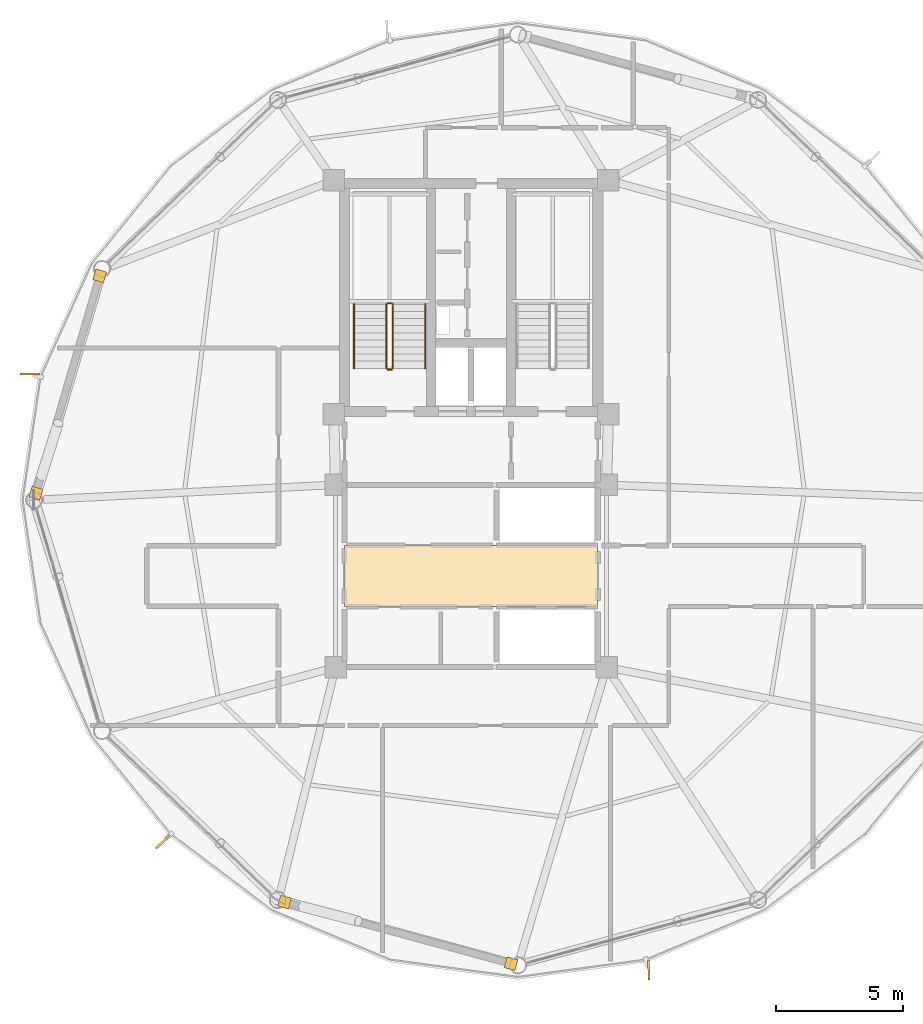
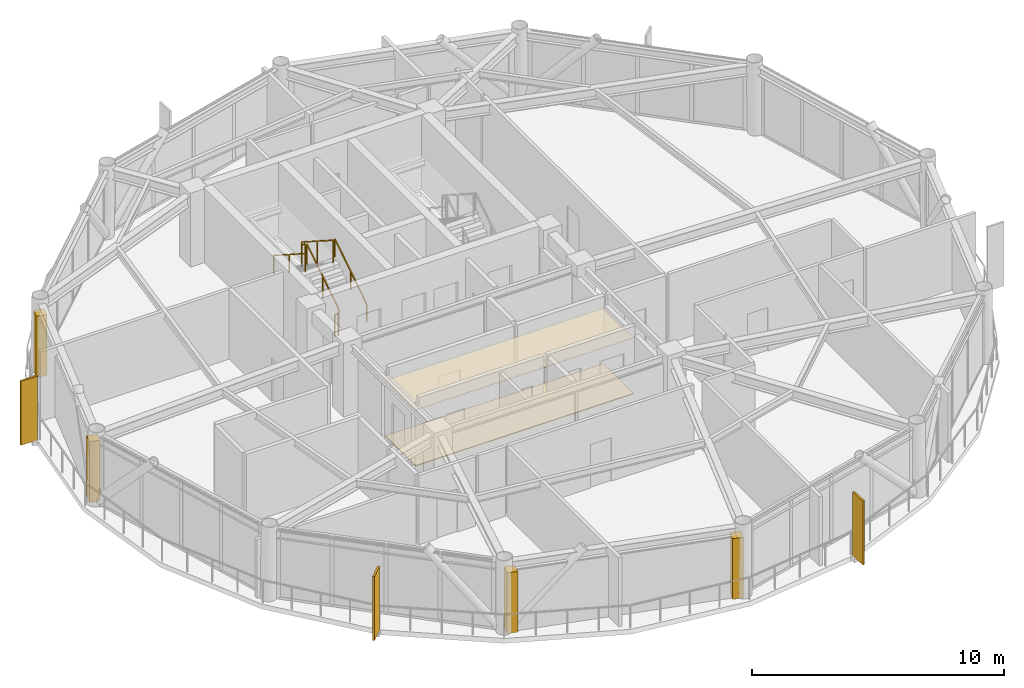
# One storey, part 26 of 28: 6 coverings, 6 railings, 3 shading devices.
"""IFC4 building model written with IfcOpenShell, lengths in metres."""

from ifc_helpers import new_model, si_unit, direction, frame, origin, origin_2d, place, context, subcontext, project, spatial, polyline, rectangle, outline, extrude, source, transform, mapped, material, layer, layer_set, type_object, type_shapes, element, save


model = new_model("IFC4")

# Units and contexts
model_context = context("Model", 3, precision=1e-05, world=origin(), true_north=direction((0.0, 1.0)))
body_context = subcontext(model_context, "Body", "Model", "MODEL_VIEW")
ifc_project = project(units=[si_unit("LENGTHUNIT", "METRE"), si_unit("AREAUNIT", "SQUARE_METRE"), si_unit("VOLUMEUNIT", "CUBIC_METRE"), si_unit("PLANEANGLEUNIT", "RADIAN"), si_unit("MASSUNIT", "GRAM", prefix="KILO")], contexts=[model_context])

# Site, building, storey
site_placement = place(None, origin())
site = spatial("IfcSite", under=ifc_project, at=site_placement, CompositionType="ELEMENT")
building_placement = place(site_placement, origin())
building = spatial("IfcBuilding", under=site, at=building_placement, Name="Varnakorn Sky Granary", CompositionType="ELEMENT")
storey_placement = place(building_placement, frame((0.0, 0.0, 214.800048828125)))
storey = spatial("IfcBuildingStorey", under=building, at=storey_placement, Name="L54", CompositionType="ELEMENT", Elevation=214.800048828125)

# Coverings
ifc_material_1 = material(Name="Perforated Acoustic Mineral-Fibre Ceiling", Category="gypsum")
ifc_layer_1 = layer(ifc_material_1, 0.02001953125, Name="Perforated Acoustic Mineral-Fibre Ceiling")
ifc_layer_set_1 = layer_set([ifc_layer_1], Name="Perforated Acoustic Mineral-Fibre Ceiling")
covering_type_1 = type_object("IfcCoveringType", Name="CV-CEIL-20", PredefinedType="CEILING", material=ifc_layer_set_1)
covering_1_placement = place(storey_placement, frame((0.0, 0.0, 2.7099609375)))
element("IfcCovering", 1, at=covering_1_placement, inside=storey, type_object=covering_type_1, Name="Lift Lobby Perforated Acoustic Ceiling L54", PredefinedType="CEILING", context=body_context, shape_type="SweptSolid", body=[
    extrude(outline(polyline([(-2.0, -4.199951171875), (8.0, -4.199951171875), (8.0, -1.800048828125), (-2.0, -1.800048828125), (-2.0, -4.199951171875)])), origin(), (0.0, 0.0, 1.0), 0.02001953125),
])
ifc_material_2 = material(Name="Honed Epoxy Terrazzo Topping", Category="concrete")
ifc_layer_2 = layer(ifc_material_2, 0.030029296875, Name="Honed Epoxy Terrazzo Topping")
ifc_layer_set_2 = layer_set([ifc_layer_2], Name="Honed Epoxy Terrazzo Topping")
covering_type_2 = type_object("IfcCoveringType", Name="CV-FLOR-30", PredefinedType="FLOORING", material=ifc_layer_set_2)
covering_2_placement = place(storey_placement, origin())
element("IfcCovering", 2, at=covering_2_placement, inside=storey, type_object=covering_type_2, Name="Lift Lobby Terrazzo Floor Finish L54", PredefinedType="FLOORING", context=body_context, shape_type="SweptSolid", body=[
    extrude(outline(polyline([(-2.0, -4.199951171875), (8.0, -4.199951171875), (8.0, -1.800048828125), (-2.0, -1.800048828125), (-2.0, -4.199951171875)])), origin(), (0.0, 0.0, 1.0), 0.030029296875),
])

# Railings
ifc_material_3 = material(Name="Brushed Stainless Steel 316", Category="steel")
railing_type_1 = type_object("IfcRailingType", Name="RL-STAIR-1100", PredefinedType="GUARDRAIL", material=ifc_material_3)
railing_1_placement = place(storey_placement, frame((-0.090087890625, 5.199951171875, 0.179931640625)))
element("IfcRailing", 3, at=railing_1_placement, inside=storey, type_object=railing_type_1, Name="L54 ST-1 stair guard 1", PredefinedType="GUARDRAIL", context=body_context, shape_type="SweptSolid", body=[
    extrude(rectangle(XDim=0.048095703125, YDim=0.048095703125, at=origin_2d()), frame((0.0, 0.0, 1.076171875), z_axis=(0.0, 0.841162588446, 0.540782303519), x_axis=(-1.0, 0.0, 0.0)), (0.0, 0.0, 1.0), 2.995849609375),
    extrude(rectangle(XDim=0.0419921875, YDim=0.0419921875, at=origin_2d()), origin(), (0.0, 0.0, 1.0), 1.048095703125),
    extrude(rectangle(XDim=0.0419921875, YDim=0.0419921875, at=origin_2d()), frame((0.0, 1.260009765625, 0.81005859375)), (0.0, 0.0, 1.0), 1.048095703125),
    extrude(rectangle(XDim=0.0419921875, YDim=0.0419921875, at=origin_2d()), frame((0.0, 2.52001953125, 1.6201171875)), (0.0, 0.0, 1.0), 1.048095703125),
])
railing_2_placement = place(storey_placement, frame((-0.139892578125, 7.77001953125, 1.800048828125)))
element("IfcRailing", 4, at=railing_2_placement, inside=storey, type_object=railing_type_1, Name="L54 ST-1 stair guard 2", PredefinedType="GUARDRAIL", context=body_context, shape_type="SweptSolid", body=[
    extrude(rectangle(XDim=0.048095703125, YDim=0.048095703125, at=origin_2d()), frame((0.0, 0.0, 1.076171875), z_axis=(-1.0, 0.0, 0.0), x_axis=(0.0, -1.0, 0.0)), (0.0, 0.0, 1.0), 0.150146484375),
    extrude(rectangle(XDim=0.0419921875, YDim=0.0419921875, at=origin_2d()), origin(), (0.0, 0.0, 1.0), 1.048095703125),
    extrude(rectangle(XDim=0.0419921875, YDim=0.0419921875, at=origin_2d()), frame((-0.150146484375, 0.0, 0.0)), (0.0, 0.0, 1.0), 1.048095703125),
])
railing_3_placement = place(storey_placement, frame((-0.340087890625, 7.719970703125, 1.97998046875)))
element("IfcRailing", 5, at=railing_3_placement, inside=storey, type_object=railing_type_1, Name="L54 ST-1 stair guard 3", PredefinedType="GUARDRAIL", context=body_context, shape_type="SweptSolid", body=[
    extrude(rectangle(XDim=0.048095703125, YDim=0.048095703125, at=origin_2d()), frame((0.0, 0.0, 1.076171875), z_axis=(0.0, -0.841199657755, 0.540724639528), x_axis=(1.0, 0.0, 0.0)), (0.0, 0.0, 1.0), 2.995849609375),
    extrude(rectangle(XDim=0.0419921875, YDim=0.0419921875, at=origin_2d()), origin(), (0.0, 0.0, 1.0), 1.048095703125),
    extrude(rectangle(XDim=0.0419921875, YDim=0.0419921875, at=origin_2d()), frame((0.0, -1.260009765625, 0.81005859375)), (0.0, 0.0, 1.0), 1.048095703125),
    extrude(rectangle(XDim=0.0419921875, YDim=0.0419921875, at=origin_2d()), frame((0.0, -2.52001953125, 1.619873046875)), (0.0, 0.0, 1.0), 1.048095703125),
])
railing_4_placement = place(storey_placement, frame((-0.139892578125, 5.14990234375, 0.0)))
element("IfcRailing", 6, at=railing_4_placement, inside=storey, type_object=railing_type_1, Name="L54 ST-1 stair guard 4", PredefinedType="GUARDRAIL", context=body_context, shape_type="SweptSolid", body=[
    extrude(rectangle(XDim=0.048095703125, YDim=0.048095703125, at=origin_2d()), frame((0.0, 0.0, 1.076171875), z_axis=(-1.0, 0.0, 0.0), x_axis=(0.0, -1.0, 0.0)), (0.0, 0.0, 1.0), 0.150146484375),
    extrude(rectangle(XDim=0.0419921875, YDim=0.0419921875, at=origin_2d()), origin(), (0.0, 0.0, 1.0), 1.048095703125),
    extrude(rectangle(XDim=0.0419921875, YDim=0.0419921875, at=origin_2d()), frame((-0.150146484375, 0.0, 0.0)), (0.0, 0.0, 1.0), 1.048095703125),
])
railing_type_2 = type_object("IfcRailingType", Name="RL-STAIR-920", PredefinedType="HANDRAIL", material=ifc_material_3)
railing_5_placement = place(storey_placement, frame((1.18994140625, 5.199951171875, 0.179931640625)))
element("IfcRailing", 7, at=railing_5_placement, inside=storey, type_object=railing_type_2, Name="L54 ST-1 stair handrail 1", PredefinedType="HANDRAIL", context=body_context, shape_type="SweptSolid", body=[
    extrude(rectangle(XDim=0.048095703125, YDim=0.048095703125, at=origin_2d()), frame((0.0, 0.0, 0.8759765625), z_axis=(0.0, 0.841162588446, 0.540782303519), x_axis=(-1.0, 0.0, 0.0)), (0.0, 0.0, 1.0), 2.995849609375),
    extrude(rectangle(XDim=0.0419921875, YDim=0.0419921875, at=origin_2d()), origin(), (0.0, 0.0, 1.0), 0.847900390625),
    extrude(rectangle(XDim=0.0419921875, YDim=0.0419921875, at=origin_2d()), frame((0.0, 1.260009765625, 0.81005859375)), (0.0, 0.0, 1.0), 0.847900390625),
    extrude(rectangle(XDim=0.0419921875, YDim=0.0419921875, at=origin_2d()), frame((0.0, 2.52001953125, 1.6201171875)), (0.0, 0.0, 1.0), 0.847900390625),
])
railing_6_placement = place(storey_placement, frame((-1.6201171875, 7.719970703125, 1.97998046875)))
element("IfcRailing", 8, at=railing_6_placement, inside=storey, type_object=railing_type_2, Name="L54 ST-1 stair handrail 2", PredefinedType="HANDRAIL", context=body_context, shape_type="SweptSolid", body=[
    extrude(rectangle(XDim=0.048095703125, YDim=0.048095703125, at=origin_2d()), frame((0.0, 0.0, 0.8759765625), z_axis=(0.0, -0.841199657755, 0.540724639528), x_axis=(1.0, 0.0, 0.0)), (0.0, 0.0, 1.0), 2.995849609375),
    extrude(rectangle(XDim=0.0419921875, YDim=0.0419921875, at=origin_2d()), origin(), (0.0, 0.0, 1.0), 0.847900390625),
    extrude(rectangle(XDim=0.0419921875, YDim=0.0419921875, at=origin_2d()), frame((0.0, -1.260009765625, 0.81005859375)), (0.0, 0.0, 1.0), 0.847900390625),
    extrude(rectangle(XDim=0.0419921875, YDim=0.0419921875, at=origin_2d()), frame((0.0, -2.52001953125, 1.619873046875)), (0.0, 0.0, 1.0), 0.847900390625),
])

# Coverings
ifc_material_4 = material(Name="Anodised Bronze Aluminium Alloy 6063-T6", Category="aluminium")
ifc_layer_3 = layer(ifc_material_4, 0.050048828125, Name="Anodised Bronze Aluminium Alloy 6063-T6")
ifc_layer_set_3 = layer_set([ifc_layer_3], Name="Anodised Bronze Aluminium Alloy 6063-T6")
covering_type_3 = type_object("IfcCoveringType", Name="CV-CLAD-50", PredefinedType="CLADDING", material=ifc_layer_set_3)
shared_shape_1 = source(origin(), body_context, "Body", "SweptSolid", [
    extrude(rectangle(XDim=0.43994140625, YDim=0.43994140625, at=origin_2d()), origin(), (0.0, 0.0, 1.0), 2.949951171875),
])
type_shapes(covering_type_3, [shared_shape_1])
for number, where, z_axis, x_axis, name in (
    (9, (-14.1748046875, 0.2734375, -0.02001953125), (0.0, 0.0, 1.0), (0.281504190071, 0.959559998631, 0.0), "Bronze Corner Pilaster Closure L54-P06-A"),
    (10, (-11.65869140625, 8.847412109375, -0.02001953125), (0.0, 0.0, 1.0), (0.281504190071, 0.959559998631, 0.0), "Bronze Corner Pilaster Closure L54-P06-B"),
    (11, (4.574951171875, -18.30224609375, -0.02001953125), (0.0, 0.0, 1.0), (-0.96497071913, 0.262357601798, 0.0), "Bronze Corner Pilaster Closure L54-P09-A"),
    (12, (-4.360107421875, -15.872802734375, -0.02001953125), (0.0, 0.0, 1.0), (-0.96497071913, 0.262357601798, 0.0), "Bronze Corner Pilaster Closure L54-P09-B"),
):
    element("IfcCovering", number, at=place(storey_placement, frame(where, z_axis=z_axis, x_axis=x_axis)), inside=storey, type_object=covering_type_3, Name=name, PredefinedType="CLADDING", context=body_context, shape_type="MappedRepresentation", body=[
        mapped(shared_shape_1, transform((0.0, 0.0, 0.0), x_axis=(1.0, 0.0, 0.0), y_axis=(0.0, 1.0, 0.0), z_axis=(0.0, 0.0, 1.0), scale=1.0)),
    ])

# Shading devices
shading_device_type = type_object("IfcShadingDeviceType", Name="SH-FIN-03", PredefinedType="USERDEFINED", material=ifc_material_4)
shared_shape_2 = source(origin(), body_context, "Body", "SweptSolid", [
    extrude(rectangle(XDim=0.0849609375, YDim=0.760009765625, at=origin_2d()), origin(), (0.0, 0.0, 1.0), 3.10009765625),
])
type_shapes(shading_device_type, [shared_shape_2])
for number, where, z_axis, x_axis, name in (
    (13, (-14.42138671875, 4.970947265625, -0.0400390625), (0.0, 0.0, 1.0), (-0.008028744554, -0.999967769111, 0.0), "Bronze Solar-Tracking Vertical Blade FIN L54-06"),
    (14, (-9.16748046875, -13.490234375, -0.0400390625), (0.0, 0.0, 1.0), (0.701096493792, -0.713066410928, 0.0), "Bronze Solar-Tracking Vertical Blade FIN L54-08"),
    (15, (10.017822265625, -18.56591796875, -0.0400390625), (0.0, 0.0, 1.0), (0.999475733514, 0.032376814483, 0.0), "Bronze Solar-Tracking Vertical Blade FIN L54-10"),
):
    element("IfcShadingDevice", number, at=place(storey_placement, frame(where, z_axis=z_axis, x_axis=x_axis)), inside=storey, type_object=shading_device_type, Name=name, ObjectType="FIN", PredefinedType="USERDEFINED", context=body_context, shape_type="MappedRepresentation", body=[
        mapped(shared_shape_2, transform((0.0, 0.0, 0.0), x_axis=(1.0, 0.0, 0.0), y_axis=(0.0, 1.0, 0.0), z_axis=(0.0, 0.0, 1.0), scale=1.0)),
    ])

save(model, "model.ifc")
